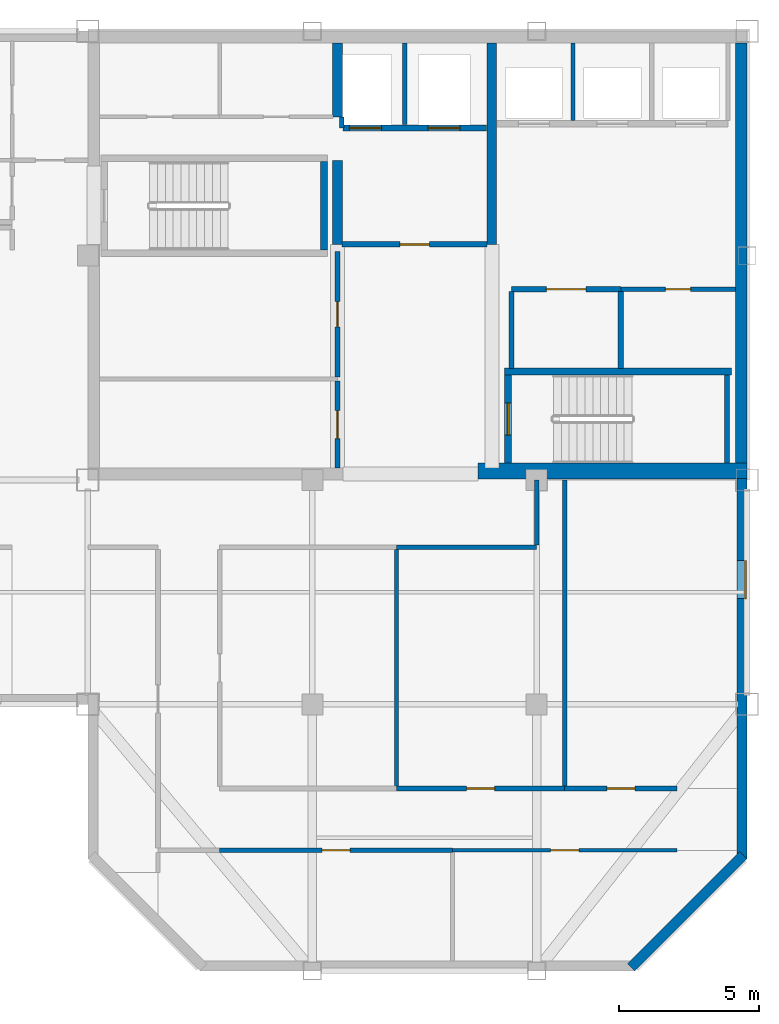
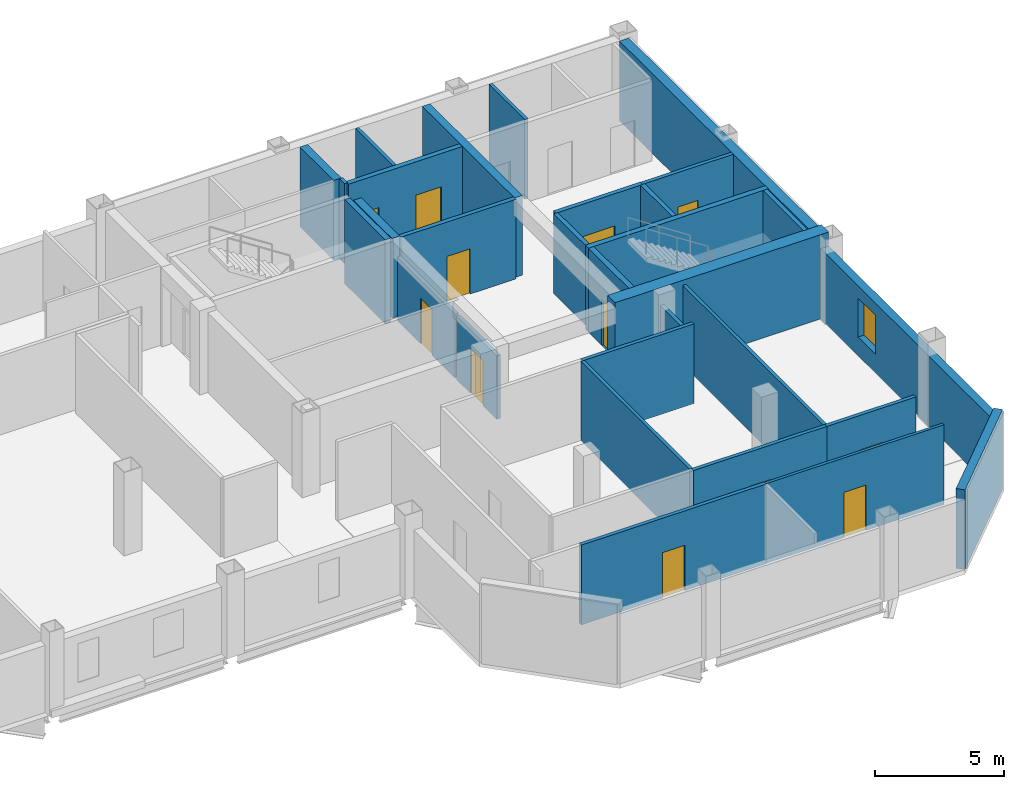
# One storey, part 3 of 7: 30 walls, 12 doors, 1 window, 13 openings.
"""IFC4 building model written with IfcOpenShell, lengths in metres."""

from ifc_helpers import new_model, si_unit, direction, frame, frame_2d, origin, place, context, subcontext, project, spatial, rectangle, extrude, material, layer, layer_set, type_object, element, fill, save


model = new_model("IFC4")

# Units and contexts
model_context = context("Model", 3, precision=1e-05, world=origin(), true_north=direction((0.0, 1.0)))
body_context = subcontext(model_context, "Body", "Model", "MODEL_VIEW")
ifc_project = project(units=[si_unit("LENGTHUNIT", "METRE"), si_unit("AREAUNIT", "SQUARE_METRE"), si_unit("VOLUMEUNIT", "CUBIC_METRE"), si_unit("PLANEANGLEUNIT", "RADIAN"), si_unit("MASSUNIT", "GRAM", prefix="KILO")], contexts=[model_context])

# Site, building, storey
site_placement = place(None, origin())
site = spatial("IfcSite", under=ifc_project, at=site_placement, CompositionType="ELEMENT")
building_placement = place(site_placement, origin())
building = spatial("IfcBuilding", under=site, at=building_placement, Name="Qianrong Seaharbour Tower", CompositionType="ELEMENT")
storey_placement = place(building_placement, frame((0.0, 0.0, 331.199951171875)))
storey = spatial("IfcBuildingStorey", under=building, at=storey_placement, Name="L80", CompositionType="ELEMENT", Elevation=331.199951171875)

# Walls
ifc_material_1 = material(Name="Concrete C50/60", Category="concrete")
ifc_layer_1 = layer(ifc_material_1, 0.419921875)
ifc_layer_set_1 = layer_set([ifc_layer_1], Name="Concrete C50/60")
wall_type_1 = type_object("IfcWallType", Name="WALL-CORE-420", PredefinedType="SHEAR", material=ifc_layer_set_1)
wall_1_placement = place(storey_placement, frame((63.7900390625, 36.320068359375, 0.0), z_axis=(0.0, 0.0, 1.0), x_axis=(0.0, 1.0, 0.0)))
element("IfcWall", 1, at=wall_1_placement, inside=storey, type_object=wall_type_1, Name="L80 East Core Shear Wall", PredefinedType="SHEAR", context=body_context, shape_type="SweptSolid", body=[
    extrude(rectangle(XDim=15.260009765625, YDim=0.419921875, at=frame_2d((7.6298828125, 0.0))), origin(), (0.0, 0.0, 1.0), 3.78515625),
])
ifc_material_2 = material(Name="Concrete C70/85", Category="concrete")
ifc_layer_2 = layer(ifc_material_2, 0.580078125)
ifc_layer_set_2 = layer_set([ifc_layer_2], Name="Concrete C70/85")
wall_type_2 = type_object("IfcWallType", Name="WALL-CORE-580", PredefinedType="SHEAR", material=ifc_layer_set_2)
wall_2_placement = place(storey_placement, frame((54.39990234375, 36.320068359375, 0.0), z_axis=(0.0, 0.0, 1.0), x_axis=(1.0, 0.0, 0.0)))
element("IfcWall", 2, at=wall_2_placement, inside=storey, type_object=wall_type_2, Name="L80 South Core Shear Wall S3", PredefinedType="SHEAR", context=body_context, shape_type="SweptSolid", body=[
    extrude(rectangle(XDim=9.60009765625, YDim=0.580078125, at=frame_2d((4.800048828125, 0.0))), origin(), (0.0, 0.0, 1.0), 4.0),
])
ifc_layer_3 = layer(ifc_material_1, 0.35009765625)
ifc_layer_set_3 = layer_set([ifc_layer_3], Name="Concrete C50/60")
wall_type_3 = type_object("IfcWallType", Name="WALL-CORE-INT-350", PredefinedType="SHEAR", material=ifc_layer_set_3)
wall_3_placement = place(storey_placement, frame((49.39990234375, 44.39990234375, 0.0), z_axis=(0.0, 0.0, 1.0), x_axis=(0.0, 1.0, 0.0)))
element("IfcWall", 3, at=wall_3_placement, inside=storey, type_object=wall_type_3, Name="L80 Internal Core Shear Wall IW1N1", PredefinedType="SHEAR", context=body_context, shape_type="SweptSolid", body=[
    extrude(rectangle(XDim=3.0, YDim=0.35009765625, at=frame_2d((1.5, 0.0))), origin(), (0.0, 0.0, 1.0), 3.78515625),
])
wall_4_placement = place(storey_placement, frame((49.39990234375, 48.949951171875, 0.0), z_axis=(0.0, 0.0, 1.0), x_axis=(0.0, 1.0, 0.0)))
element("IfcWall", 4, at=wall_4_placement, inside=storey, type_object=wall_type_3, Name="L80 Internal Core Shear Wall IW1N2", PredefinedType="SHEAR", context=body_context, shape_type="SweptSolid", body=[
    extrude(rectangle(XDim=2.630126953125, YDim=0.35009765625, at=frame_2d((1.31494140625, 0.0))), origin(), (0.0, 0.0, 1.0), 3.78515625),
])
wall_5_placement = place(storey_placement, frame((54.89990234375, 44.39990234375, 0.0), z_axis=(0.0, 0.0, 1.0), x_axis=(0.0, 1.0, 0.0)))
element("IfcWall", 5, at=wall_5_placement, inside=storey, type_object=wall_type_3, Name="L80 Internal Core Shear Wall IW2N", PredefinedType="SHEAR", context=body_context, shape_type="SweptSolid", body=[
    extrude(rectangle(XDim=7.18017578125, YDim=0.35009765625, at=frame_2d((3.590087890625, 0.0))), origin(), (0.0, 0.0, 1.0), 3.78515625),
])

# Wall, opening, door
ifc_material_3 = material(Name="Fire-rated acoustic gypsum board partition")
ifc_layer_4 = layer(ifc_material_3, 0.1650390625)
ifc_layer_set_4 = layer_set([ifc_layer_4], Name="Fire-rated acoustic gypsum board partition")
wall_type_4 = type_object("IfcWallType", Name="WALL-CORR-PART-165", PredefinedType="PARTITIONING", material=ifc_layer_set_4)
wall_6_placement = place(storey_placement, frame((49.39990234375, 36.419921875, 0.0), z_axis=(0.0, 0.0, 1.0), x_axis=(0.0, 1.0, 0.0)))
wall_6 = element("IfcWall", 6, at=wall_6_placement, inside=storey, type_object=wall_type_4, Name="L80 Interior Partition Wall 009", PredefinedType="PARTITIONING", context=body_context, shape_type="SweptSolid", body=[
    extrude(rectangle(XDim=3.115478515625, YDim=0.1650390625, at=frame_2d((1.5576171875, 0.0))), origin(), (0.0, 0.0, 1.0), 3.027099609375),
])
opening_1_placement = place(wall_6_placement, frame((1.0576171875, 0.0, 0.0)))
opening_1 = element("IfcOpeningElement", 7, at=opening_1_placement, cuts=wall_6, Name="Opening DO-01", PredefinedType="OPENING", context=body_context, shape_type="SweptSolid", body=[
    extrude(rectangle(XDim=1.0, YDim=2.14990234375, at=frame_2d((0.5, 1.074951171875))), frame((0.0, 0.092529296875, 0.0), z_axis=(0.0, -1.0, 0.0), x_axis=(1.0, 0.0, 0.0)), (0.0, 0.0, 1.0), 0.18505859375),
])
ifc_material_4 = material(Name="Acoustic timber and galvanized steel fire door assembly", Category="steel")
door_type_1 = type_object("IfcDoorType", Name="DOOR-OFFICE-1000x2150", OperationType="NOTDEFINED", PredefinedType="DOOR", material=ifc_material_4)
door_1_placement = place(opening_1_placement, origin())
door_1 = element("IfcDoor", 8, at=door_1_placement, inside=storey, type_object=door_type_1, Name="L80 Wellness Room Door", OperationType="SINGLE_SWING_LEFT", OverallHeight=2.14990234375, OverallWidth=1.0, PredefinedType="DOOR", context=body_context, shape_type="SweptSolid", body=[
    extrude(rectangle(XDim=1.0, YDim=2.14990234375, at=frame_2d((0.5, 1.074951171875))), frame((0.0, 0.02490234375, 0.0), z_axis=(0.0, -1.0, 0.0), x_axis=(1.0, 0.0, 0.0)), (0.0, 0.0, 1.0), 0.050048828125),
])
fill(opening_1, door_1)

wall_7_placement = place(storey_placement, frame((49.39990234375, 39.66455078125, 0.0), z_axis=(0.0, 0.0, 1.0), x_axis=(0.0, 1.0, 0.0)))
wall_7 = element("IfcWall", 9, at=wall_7_placement, inside=storey, type_object=wall_type_4, Name="L80 Interior Partition Wall 010", PredefinedType="PARTITIONING", context=body_context, shape_type="SweptSolid", body=[
    extrude(rectangle(XDim=4.4853515625, YDim=0.1650390625, at=frame_2d((2.24267578125, 0.0))), origin(), (0.0, 0.0, 1.0), 3.027099609375),
])
opening_2_placement = place(wall_7_placement, frame((1.792724609375, 0.0, 0.0)))
opening_2 = element("IfcOpeningElement", 10, at=opening_2_placement, cuts=wall_7, Name="Opening DS-01", PredefinedType="OPENING", context=body_context, shape_type="SweptSolid", body=[
    extrude(rectangle(XDim=0.89990234375, YDim=2.14990234375, at=frame_2d((0.449951171875, 1.074951171875))), frame((0.0, 0.092529296875, 0.0), z_axis=(0.0, -1.0, 0.0), x_axis=(1.0, 0.0, 0.0)), (0.0, 0.0, 1.0), 0.18505859375),
])
door_type_2 = type_object("IfcDoorType", Name="DOOR-STORE-900x2150", OperationType="NOTDEFINED", PredefinedType="DOOR", material=ifc_material_4)
door_2_placement = place(opening_2_placement, origin())
door_2 = element("IfcDoor", 11, at=door_2_placement, inside=storey, type_object=door_type_2, Name="L80 Equipment Store Room Door", OperationType="SINGLE_SWING_RIGHT", OverallHeight=2.14990234375, OverallWidth=0.89990234375, PredefinedType="DOOR", context=body_context, shape_type="SweptSolid", body=[
    extrude(rectangle(XDim=0.89990234375, YDim=2.14990234375, at=frame_2d((0.449951171875, 1.074951171875))), frame((0.0, 0.02490234375, 0.0), z_axis=(0.0, -1.0, 0.0), x_axis=(1.0, 0.0, 0.0)), (0.0, 0.0, 1.0), 0.050048828125),
])
fill(opening_2, door_2)

wall_8_placement = place(storey_placement, frame((63.580078125, 42.800048828125, 0.0), z_axis=(0.0, 0.0, 1.0), x_axis=(-1.0, 0.0, 0.0)))
wall_8 = element("IfcWall", 12, at=wall_8_placement, inside=storey, type_object=wall_type_4, Name="L80 Interior Partition Wall 014", PredefinedType="PARTITIONING", context=body_context, shape_type="SweptSolid", body=[
    extrude(rectangle(XDim=4.080078125, YDim=0.1650390625, at=frame_2d((2.0400390625, 0.0))), origin(), (0.0, 0.0, 1.0), 3.78515625),
])
opening_3_placement = place(wall_8_placement, frame((1.590087890625, 0.0, 0.0)))
opening_3 = element("IfcOpeningElement", 13, at=opening_3_placement, cuts=wall_8, Name="Opening DS-01", PredefinedType="OPENING", context=body_context, shape_type="SweptSolid", body=[
    extrude(rectangle(XDim=0.89990234375, YDim=2.14990234375, at=frame_2d((0.449951171875, 1.074951171875))), frame((0.0, 0.092529296875, 0.0), z_axis=(0.0, -1.0, 0.0), x_axis=(1.0, 0.0, 0.0)), (0.0, 0.0, 1.0), 0.18505859375),
])
door_3_placement = place(opening_3_placement, origin())
door_3 = element("IfcDoor", 14, at=door_3_placement, inside=storey, type_object=door_type_2, Name="L80 Cleaner Store Room Door", OperationType="SINGLE_SWING_LEFT", OverallHeight=2.14990234375, OverallWidth=0.89990234375, PredefinedType="DOOR", context=body_context, shape_type="SweptSolid", body=[
    extrude(rectangle(XDim=0.89990234375, YDim=2.14990234375, at=frame_2d((0.449951171875, 1.074951171875))), frame((0.0, 0.02490234375, 0.0), z_axis=(0.0, -1.0, 0.0), x_axis=(1.0, 0.0, 0.0)), (0.0, 0.0, 1.0), 0.050048828125),
])
fill(opening_3, door_3)

# Walls
wall_9_placement = place(storey_placement, frame((56.5, 36.0, 0.0), z_axis=(0.0, 0.0, 1.0), x_axis=(0.0, -1.0, 0.0)))
element("IfcWall", 15, at=wall_9_placement, inside=storey, type_object=wall_type_4, Name="L80 Interior Partition Wall 026", PredefinedType="PARTITIONING", context=body_context, shape_type="SweptSolid", body=[
    extrude(rectangle(XDim=2.325439453125, YDim=0.1650390625, at=frame_2d((1.16259765625, 0.0))), origin(), (0.0, 0.0, 1.0), 3.177001953125),
])
wall_10_placement = place(storey_placement, frame((56.5, 33.60009765625, 0.0), z_axis=(0.0, 0.0, 1.0), x_axis=(-1.0, 0.0, 0.0)))
element("IfcWall", 16, at=wall_10_placement, inside=storey, type_object=wall_type_4, Name="L80 Interior Partition Wall 027", PredefinedType="PARTITIONING", context=body_context, shape_type="SweptSolid", body=[
    extrude(rectangle(XDim=5.0, YDim=0.1650390625, at=frame_2d((2.5, 0.0))), origin(), (0.0, 0.0, 1.0), 3.78515625),
])

# Wall, opening, door
wall_11_placement = place(storey_placement, frame((51.5, 25.0, 0.0), z_axis=(0.0, 0.0, 1.0), x_axis=(1.0, 0.0, 0.0)))
wall_11 = element("IfcWall", 17, at=wall_11_placement, inside=storey, type_object=wall_type_4, Name="L80 Interior Partition Wall 033", PredefinedType="PARTITIONING", context=body_context, shape_type="SweptSolid", body=[
    extrude(rectangle(XDim=6.0, YDim=0.1650390625, at=frame_2d((3.0, 0.0))), origin(), (0.0, 0.0, 1.0), 3.78515625),
])
opening_4_placement = place(wall_11_placement, frame((2.5, 0.0, 0.0)))
opening_4 = element("IfcOpeningElement", 18, at=opening_4_placement, cuts=wall_11, Name="Opening DO-01", PredefinedType="OPENING", context=body_context, shape_type="SweptSolid", body=[
    extrude(rectangle(XDim=1.0, YDim=2.14990234375, at=frame_2d((0.5, 1.074951171875))), frame((0.0, 0.092529296875, 0.0), z_axis=(0.0, -1.0, 0.0), x_axis=(1.0, 0.0, 0.0)), (0.0, 0.0, 1.0), 0.18505859375),
])
door_4_placement = place(opening_4_placement, origin())
door_4 = element("IfcDoor", 19, at=door_4_placement, inside=storey, type_object=door_type_1, Name="L80 Catering Servery Kitchen 2 Door", OperationType="SINGLE_SWING_RIGHT", OverallHeight=2.14990234375, OverallWidth=1.0, PredefinedType="DOOR", context=body_context, shape_type="SweptSolid", body=[
    extrude(rectangle(XDim=1.0, YDim=2.14990234375, at=frame_2d((0.5, 1.074951171875))), frame((0.0, 0.02490234375, 0.0), z_axis=(0.0, -1.0, 0.0), x_axis=(1.0, 0.0, 0.0)), (0.0, 0.0, 1.0), 0.050048828125),
])
fill(opening_4, door_4)

wall_12_placement = place(storey_placement, frame((57.5, 25.0, 0.0), z_axis=(0.0, 0.0, 1.0), x_axis=(1.0, 0.0, 0.0)))
wall_12 = element("IfcWall", 20, at=wall_12_placement, inside=storey, type_object=wall_type_4, Name="L80 Interior Partition Wall 034", PredefinedType="PARTITIONING", context=body_context, shape_type="SweptSolid", body=[
    extrude(rectangle(XDim=4.0, YDim=0.1650390625, at=frame_2d((2.0, 0.0))), origin(), (0.0, 0.0, 1.0), 3.78515625),
])
opening_5_placement = place(wall_12_placement, frame((1.5, 0.0, 0.0)))
opening_5 = element("IfcOpeningElement", 21, at=opening_5_placement, cuts=wall_12, Name="Opening DO-01", PredefinedType="OPENING", context=body_context, shape_type="SweptSolid", body=[
    extrude(rectangle(XDim=1.0, YDim=2.14990234375, at=frame_2d((0.5, 1.074951171875))), frame((0.0, 0.092529296875, 0.0), z_axis=(0.0, -1.0, 0.0), x_axis=(1.0, 0.0, 0.0)), (0.0, 0.0, 1.0), 0.18505859375),
])
door_5_placement = place(opening_5_placement, origin())
door_5 = element("IfcDoor", 22, at=door_5_placement, inside=storey, type_object=door_type_1, Name="L80 Staff Lounge 3 Door", OperationType="SINGLE_SWING_LEFT", OverallHeight=2.14990234375, OverallWidth=1.0, PredefinedType="DOOR", context=body_context, shape_type="SweptSolid", body=[
    extrude(rectangle(XDim=1.0, YDim=2.14990234375, at=frame_2d((0.5, 1.074951171875))), frame((0.0, 0.02490234375, 0.0), z_axis=(0.0, -1.0, 0.0), x_axis=(1.0, 0.0, 0.0)), (0.0, 0.0, 1.0), 0.050048828125),
])
fill(opening_5, door_5)

wall_13_placement = place(storey_placement, frame((53.5, 22.800048828125, 0.0), z_axis=(0.0, 0.0, 1.0), x_axis=(-1.0, 0.0, 0.0)))
wall_13 = element("IfcWall", 23, at=wall_13_placement, inside=storey, type_object=wall_type_4, Name="L80 Interior Partition Wall 035", PredefinedType="PARTITIONING", context=body_context, shape_type="SweptSolid", body=[
    extrude(rectangle(XDim=8.300048828125, YDim=0.1650390625, at=frame_2d((4.14990234375, 0.0))), origin(), (0.0, 0.0, 1.0), 3.78515625),
])
opening_6_placement = place(wall_13_placement, frame((3.64990234375, 0.0, 0.0)))
opening_6 = element("IfcOpeningElement", 24, at=opening_6_placement, cuts=wall_13, Name="Opening DO-01", PredefinedType="OPENING", context=body_context, shape_type="SweptSolid", body=[
    extrude(rectangle(XDim=1.0, YDim=2.14990234375, at=frame_2d((0.5, 1.074951171875))), frame((0.0, 0.092529296875, 0.0), z_axis=(0.0, -1.0, 0.0), x_axis=(1.0, 0.0, 0.0)), (0.0, 0.0, 1.0), 0.18505859375),
])
door_6_placement = place(opening_6_placement, origin())
door_6 = element("IfcDoor", 25, at=door_6_placement, inside=storey, type_object=door_type_1, Name="L80 South View Lounge 1 Door", OperationType="SINGLE_SWING_LEFT", OverallHeight=2.14990234375, OverallWidth=1.0, PredefinedType="DOOR", context=body_context, shape_type="SweptSolid", body=[
    extrude(rectangle(XDim=1.0, YDim=2.14990234375, at=frame_2d((0.5, 1.074951171875))), frame((0.0, 0.02490234375, 0.0), z_axis=(0.0, -1.0, 0.0), x_axis=(1.0, 0.0, 0.0)), (0.0, 0.0, 1.0), 0.050048828125),
])
fill(opening_6, door_6)

# Wall, opening, window
ifc_material_5 = material(Name="Unitised red brick on Precast concrete C45/55", Category="masonry")
ifc_layer_5 = layer(ifc_material_5, 0.360107421875)
ifc_layer_set_5 = layer_set([ifc_layer_5], Name="Unitised red brick on Precast concrete C45/55")
wall_type_5 = type_object("IfcWallType", Name="WALL-EXT-BRICK-RED-360", PredefinedType="SOLIDWALL", material=ifc_layer_set_5)
wall_14_placement = place(storey_placement, frame((63.820068359375, 36.050048828125, 0.0), z_axis=(0.0, 0.0, 1.0), x_axis=(0.0, -1.0, 0.0)))
wall_14 = element("IfcWall", 26, at=wall_14_placement, inside=storey, type_object=wall_type_5, Name="L80 Exterior Masonry Facade Wall EAST_WING", PredefinedType="SOLIDWALL", context=body_context, shape_type="SweptSolid", body=[
    extrude(rectangle(XDim=13.550048828125, YDim=0.360107421875, at=frame_2d((6.77490234375, 0.0))), origin(), (0.0, 0.0, 1.0), 3.3349609375),
])
opening_7_placement = place(wall_14_placement, frame((2.925048828125, 0.0, 0.89990234375)))
opening_7 = element("IfcOpeningElement", 27, at=opening_7_placement, cuts=wall_14, Name="Opening WN-02", PredefinedType="OPENING", context=body_context, shape_type="SweptSolid", body=[
    extrude(rectangle(XDim=1.35009765625, YDim=1.85009765625, at=frame_2d((0.675048828125, 0.925048828125))), frame((0.0, 0.18994140625, 0.0), z_axis=(0.0, -1.0, 0.0), x_axis=(1.0, 0.0, 0.0)), (0.0, 0.0, 1.0), 0.380126953125),
])
ifc_material_6 = material(Name="Insulated low-e double glazing in thermally broken aluminium 6063-T6 frame", Category="aluminium")
window_type = type_object("IfcWindowType", Name="WIN-PUNCH-1350x1850", PartitioningType="DOUBLE_PANEL_VERTICAL", PredefinedType="WINDOW", material=ifc_material_6)
window_placement = place(opening_7_placement, origin())
window = element("IfcWindow", 28, at=window_placement, inside=storey, type_object=window_type, Name="L80 Deep-Set Punched Window 06.01", OverallHeight=1.85009765625, OverallWidth=1.35009765625, PartitioningType="DOUBLE_PANEL_VERTICAL", PredefinedType="WINDOW", context=body_context, shape_type="SweptSolid", body=[
    extrude(rectangle(XDim=1.35009765625, YDim=1.85009765625, at=frame_2d((0.675048828125, 0.925048828125))), frame((0.0, 0.150146484375, 0.0), z_axis=(0.0, -1.0, 0.0), x_axis=(1.0, 0.0, 0.0)), (0.0, 0.0, 1.0), 0.06005859375),
])
fill(opening_7, window)

# Wall
wall_15_placement = place(storey_placement, frame((63.872802734375, 22.627197265625, 0.0), z_axis=(0.0, 0.0, 1.0), x_axis=(-0.707106781187, -0.707106781187, 0.0)))
element("IfcWall", 29, at=wall_15_placement, inside=storey, type_object=wall_type_5, Name="L80 Exterior Masonry Facade Wall E07", PredefinedType="SOLIDWALL", context=body_context, shape_type="SweptSolid", body=[
    extrude(rectangle(XDim=5.65673828125, YDim=0.360107421875, at=frame_2d((2.828369140625, 0.0))), origin(), (0.0, 0.0, 1.0), 3.78515625),
])

# Wall, opening, door
ifc_material_7 = material(Name="Double fire-rated gypsum board acoustic partition")
ifc_layer_6 = layer(ifc_material_7, 0.18994140625)
ifc_layer_set_6 = layer_set([ifc_layer_6], Name="Double fire-rated gypsum board acoustic partition")
wall_type_6 = type_object("IfcWallType", Name="WALL-FIRE-PART-190", PredefinedType="PARTITIONING", material=ifc_layer_set_6)
wall_16_placement = place(storey_placement, frame((54.73291015625, 44.39990234375, 0.0), z_axis=(0.0, 0.0, 1.0), x_axis=(-1.0, 0.0, 0.0)))
wall_16 = element("IfcWall", 30, at=wall_16_placement, inside=storey, type_object=wall_type_6, Name="L80 Interior Partition Wall 008", PredefinedType="PARTITIONING", context=body_context, shape_type="SweptSolid", body=[
    extrude(rectangle(XDim=5.166015625, YDim=0.18994140625, at=frame_2d((2.5830078125, 0.0))), origin(), (0.0, 0.0, 1.0), 3.78515625),
])
opening_8_placement = place(wall_16_placement, frame((2.05810546875, 0.0, 0.0)))
opening_8 = element("IfcOpeningElement", 31, at=opening_8_placement, cuts=wall_16, Name="Opening DC-01", PredefinedType="OPENING", context=body_context, shape_type="SweptSolid", body=[
    extrude(rectangle(XDim=1.050048828125, YDim=2.14990234375, at=frame_2d((0.52490234375, 1.074951171875))), frame((0.0, 0.10498046875, 0.0), z_axis=(0.0, -1.0, 0.0), x_axis=(1.0, 0.0, 0.0)), (0.0, 0.0, 1.0), 0.2099609375),
])
door_type_3 = type_object("IfcDoorType", Name="DOOR-CORR-FD60-1050x2150", OperationType="NOTDEFINED", PredefinedType="DOOR", material=ifc_material_4)
door_7_placement = place(opening_8_placement, origin())
door_7 = element("IfcDoor", 32, at=door_7_placement, inside=storey, type_object=door_type_3, Name="L80 Firefighting Lift Lobby Door", OperationType="SINGLE_SWING_RIGHT", OverallHeight=2.14990234375, OverallWidth=1.050048828125, PredefinedType="DOOR", context=body_context, shape_type="SweptSolid", body=[
    extrude(rectangle(XDim=1.050048828125, YDim=2.14990234375, at=frame_2d((0.52490234375, 1.074951171875))), frame((0.0, 0.02490234375, 0.0), z_axis=(0.0, -1.0, 0.0), x_axis=(1.0, 0.0, 0.0)), (0.0, 0.0, 1.0), 0.050048828125),
])
fill(opening_8, door_7)

# Wall
wall_17_placement = place(storey_placement, frame((55.60009765625, 42.712890625, 0.0), z_axis=(0.0, 0.0, 1.0), x_axis=(0.0, -1.0, 0.0)))
element("IfcWall", 33, at=wall_17_placement, inside=storey, type_object=wall_type_6, Name="L80 Interior Partition Wall 011", PredefinedType="PARTITIONING", context=body_context, shape_type="SweptSolid", body=[
    extrude(rectangle(XDim=2.73095703125, YDim=0.18994140625, at=frame_2d((1.365478515625, 0.0))), origin(), (0.0, 0.0, 1.0), 3.78515625),
])

# Wall, opening, door
wall_18_placement = place(storey_placement, frame((59.5, 42.800048828125, 0.0), z_axis=(0.0, 0.0, 1.0), x_axis=(-1.0, 0.0, 0.0)))
wall_18 = element("IfcWall", 34, at=wall_18_placement, inside=storey, type_object=wall_type_6, Name="L80 Interior Partition Wall 013", PredefinedType="PARTITIONING", context=body_context, shape_type="SweptSolid", body=[
    extrude(rectangle(XDim=3.89990234375, YDim=0.18994140625, at=frame_2d((1.949951171875, 0.0))), origin(), (0.0, 0.0, 1.0), 3.78515625),
])
opening_9_placement = place(wall_18_placement, frame((1.25, 0.0, 0.0)))
opening_9 = element("IfcOpeningElement", 35, at=opening_9_placement, cuts=wall_18, Name="Opening DP-01", PredefinedType="OPENING", context=body_context, shape_type="SweptSolid", body=[
    extrude(rectangle(XDim=1.39990234375, YDim=2.25, at=frame_2d((0.699951171875, 1.125))), frame((0.0, 0.10498046875, 0.0), z_axis=(0.0, -1.0, 0.0), x_axis=(1.0, 0.0, 0.0)), (0.0, 0.0, 1.0), 0.2099609375),
])
door_type_4 = type_object("IfcDoorType", Name="DOOR-PLANT-PAIR-1400x2250", OperationType="DOUBLE_DOOR_SINGLE_SWING", PredefinedType="DOOR", material=ifc_material_4)
door_8_placement = place(opening_9_placement, origin())
door_8 = element("IfcDoor", 36, at=door_8_placement, inside=storey, type_object=door_type_4, Name="L80 Electrical Substation Door", OperationType="DOUBLE_DOOR_SINGLE_SWING", OverallHeight=2.25, OverallWidth=1.39990234375, PredefinedType="DOOR", context=body_context, shape_type="SweptSolid", body=[
    extrude(rectangle(XDim=1.39990234375, YDim=2.25, at=frame_2d((0.699951171875, 1.125))), frame((0.0, 0.02490234375, 0.0), z_axis=(0.0, -1.0, 0.0), x_axis=(1.0, 0.0, 0.0)), (0.0, 0.0, 1.0), 0.050048828125),
])
fill(opening_9, door_8)

# Walls
wall_19_placement = place(storey_placement, frame((59.5, 42.712890625, 0.0), z_axis=(0.0, 0.0, 1.0), x_axis=(0.0, -1.0, 0.0)))
element("IfcWall", 37, at=wall_19_placement, inside=storey, type_object=wall_type_6, Name="L80 Interior Partition Wall 016", PredefinedType="PARTITIONING", context=body_context, shape_type="SweptSolid", body=[
    extrude(rectangle(XDim=2.73095703125, YDim=0.18994140625, at=frame_2d((1.365478515625, 0.0))), origin(), (0.0, 0.0, 1.0), 3.78515625),
])
ifc_material_8 = material(Name="Acoustic gypsum board stud partition")
ifc_layer_7 = layer(ifc_material_8, 0.14501953125)
ifc_layer_set_7 = layer_set([ifc_layer_7], Name="Acoustic gypsum board stud partition")
wall_type_7 = type_object("IfcWallType", Name="WALL-OFFICE-PART-145", PredefinedType="PARTITIONING", material=ifc_layer_set_7)
wall_20_placement = place(storey_placement, frame((51.5, 33.525390625, 0.0), z_axis=(0.0, 0.0, 1.0), x_axis=(0.0, -1.0, 0.0)))
element("IfcWall", 38, at=wall_20_placement, inside=storey, type_object=wall_type_7, Name="L80 Interior Partition Wall 043", PredefinedType="PARTITIONING", context=body_context, shape_type="SweptSolid", body=[
    extrude(rectangle(XDim=8.450927734375, YDim=0.14501953125, at=frame_2d((4.2255859375, 0.0))), origin(), (0.0, 0.0, 1.0), 3.78515625),
])
wall_21_placement = place(storey_placement, frame((57.5, 36.0, 0.0), z_axis=(0.0, 0.0, 1.0), x_axis=(0.0, -1.0, 0.0)))
element("IfcWall", 39, at=wall_21_placement, inside=storey, type_object=wall_type_7, Name="L80 Interior Partition Wall 044", PredefinedType="PARTITIONING", context=body_context, shape_type="SweptSolid", body=[
    extrude(rectangle(XDim=10.925537109375, YDim=0.14501953125, at=frame_2d((5.462890625, 0.0))), origin(), (0.0, 0.0, 1.0), 3.78515625),
])
ifc_material_9 = material(Name="Fire-rated gypsum board on steel studs", Category="steel")
ifc_layer_8 = layer(ifc_material_9, 0.14990234375)
ifc_layer_set_8 = layer_set([ifc_layer_8], Name="Fire-rated gypsum board on steel studs")
wall_type_8 = type_object("IfcWallType", Name="WALL-SHAFT-DIV-150", PredefinedType="PARTITIONING", material=ifc_layer_set_8)
wall_22_placement = place(storey_placement, frame((51.800048828125, 48.669921875, 0.0), z_axis=(0.0, 0.0, 1.0), x_axis=(0.0, 1.0, 0.0)))
element("IfcWall", 40, at=wall_22_placement, inside=storey, type_object=wall_type_8, Name="L80 Firefighting Lift Shaft Divider Wall", PredefinedType="PARTITIONING", context=body_context, shape_type="SweptSolid", body=[
    extrude(rectangle(XDim=2.91015625, YDim=0.14990234375, at=frame_2d((1.455078125, 0.0))), origin(), (0.0, 0.0, 1.0), 3.78515625),
])
wall_23_placement = place(storey_placement, frame((49.550048828125, 48.550048828125, 0.0), z_axis=(0.0, 0.0, 1.0), x_axis=(0.0, 1.0, 0.0)))
element("IfcWall", 41, at=wall_23_placement, inside=storey, type_object=wall_type_8, Name="L80 Firefighting Lift Shaft West Return Wall", PredefinedType="PARTITIONING", context=body_context, shape_type="SweptSolid", body=[
    extrude(rectangle(XDim=0.39990234375, YDim=0.14990234375, at=frame_2d((0.199951171875, 0.0))), origin(), (0.0, 0.0, 1.0), 3.78515625),
])
wall_24_placement = place(storey_placement, frame((57.800048828125, 48.81005859375, 0.0), z_axis=(0.0, 0.0, 1.0), x_axis=(0.0, 1.0, 0.0)))
element("IfcWall", 42, at=wall_24_placement, inside=storey, type_object=wall_type_8, Name="L80 P4 Lift Hoistway Divider 2", PredefinedType="PARTITIONING", context=body_context, shape_type="SweptSolid", body=[
    extrude(rectangle(XDim=2.77001953125, YDim=0.14990234375, at=frame_2d((1.385009765625, 0.0))), origin(), (0.0, 0.0, 1.0), 3.78515625),
])

# Wall, openings, doors
ifc_layer_9 = layer(ifc_material_9, 0.219970703125)
ifc_layer_set_9 = layer_set([ifc_layer_9], Name="Fire-rated gypsum board on steel studs")
wall_type_9 = type_object("IfcWallType", Name="WALL-SHAFT-GYP220", PredefinedType="PARTITIONING", material=ifc_layer_set_9)
wall_25_placement = place(storey_placement, frame((54.7099609375, 48.550048828125, 0.0), z_axis=(0.0, 0.0, 1.0), x_axis=(-1.0, 0.0, 0.0)))
wall_25 = element("IfcWall", 43, at=wall_25_placement, inside=storey, type_object=wall_type_9, Name="L80 Firefighting Lift Shaft Front Wall", PredefinedType="PARTITIONING", context=body_context, shape_type="SweptSolid", body=[
    extrude(rectangle(XDim=5.119873046875, YDim=0.219970703125, at=frame_2d((2.56005859375, 0.0))), origin(), (0.0, 0.0, 1.0), 3.78515625),
])
opening_10_placement = place(wall_25_placement, frame((3.735107421875, 0.0, 0.0)))
opening_10 = element("IfcOpeningElement", 44, at=opening_10_placement, cuts=wall_25, Name="Opening LD-01", PredefinedType="OPENING", context=body_context, shape_type="SweptSolid", body=[
    extrude(rectangle(XDim=1.14990234375, YDim=2.199951171875, at=frame_2d((0.574951171875, 1.10009765625))), frame((0.0, 0.1201171875, 0.0), z_axis=(0.0, -1.0, 0.0), x_axis=(1.0, 0.0, 0.0)), (0.0, 0.0, 1.0), 0.239990234375),
])
opening_11_placement = place(wall_25_placement, frame((0.93505859375, 0.0, 0.0)))
opening_11 = element("IfcOpeningElement", 45, at=opening_11_placement, cuts=wall_25, Name="Opening LD-01", PredefinedType="OPENING", context=body_context, shape_type="SweptSolid", body=[
    extrude(rectangle(XDim=1.14990234375, YDim=2.199951171875, at=frame_2d((0.574951171875, 1.10009765625))), frame((0.0, 0.1201171875, 0.0), z_axis=(0.0, -1.0, 0.0), x_axis=(1.0, 0.0, 0.0)), (0.0, 0.0, 1.0), 0.239990234375),
])
ifc_material_10 = material(Name="Stainless steel SUS316L bi-parting lift landing door", Category="steel")
door_type_5 = type_object("IfcDoorType", Name="DOOR-LIFT-FF-1150x2200", OperationType="DOUBLE_DOOR_SLIDING", PredefinedType="DOOR", material=ifc_material_10)
door_9_placement = place(opening_10_placement, origin())
door_9 = element("IfcDoor", 46, at=door_9_placement, inside=storey, type_object=door_type_5, Name="L80 FL-1 Firefighting Lift Landing Door", OperationType="DOUBLE_DOOR_SLIDING", OverallHeight=2.199951171875, OverallWidth=1.14990234375, PredefinedType="DOOR", context=body_context, shape_type="SweptSolid", body=[
    extrude(rectangle(XDim=1.14990234375, YDim=2.199951171875, at=frame_2d((0.574951171875, 1.10009765625))), frame((0.0, 0.02490234375, 0.0), z_axis=(0.0, -1.0, 0.0), x_axis=(1.0, 0.0, 0.0)), (0.0, 0.0, 1.0), 0.050048828125),
])
fill(opening_10, door_9)
door_10_placement = place(opening_11_placement, origin())
door_10 = element("IfcDoor", 47, at=door_10_placement, inside=storey, type_object=door_type_5, Name="L80 FL-2 Firefighting Lift Landing Door", OperationType="DOUBLE_DOOR_SLIDING", OverallHeight=2.199951171875, OverallWidth=1.14990234375, PredefinedType="DOOR", context=body_context, shape_type="SweptSolid", body=[
    extrude(rectangle(XDim=1.14990234375, YDim=2.199951171875, at=frame_2d((0.574951171875, 1.10009765625))), frame((0.0, 0.02490234375, 0.0), z_axis=(0.0, -1.0, 0.0), x_axis=(1.0, 0.0, 0.0)), (0.0, 0.0, 1.0), 0.050048828125),
])
fill(opening_11, door_10)

# Walls
ifc_layer_10 = layer(ifc_material_1, 0.239990234375)
ifc_layer_set_10 = layer_set([ifc_layer_10], Name="Concrete C50/60")
wall_type_10 = type_object("IfcWallType", Name="WALL-SHAFT-RC240", PredefinedType="SOLIDWALL", material=ifc_layer_set_10)
wall_26_placement = place(storey_placement, frame((48.919921875, 44.199951171875, 0.0), z_axis=(0.0, 0.0, 1.0), x_axis=(0.0, 1.0, 0.0)))
element("IfcWall", 48, at=wall_26_placement, inside=storey, type_object=wall_type_10, Name="L80 ST-1 Structural Stair Core Wall E", PredefinedType="SOLIDWALL", context=body_context, shape_type="SweptSolid", body=[
    extrude(rectangle(XDim=3.150146484375, YDim=0.239990234375, at=frame_2d((1.5751953125, 0.0))), origin(), (0.0, 0.0, 1.0), 4.0),
])
wall_27_placement = place(storey_placement, frame((55.360107421875, 39.8701171875, 0.0), z_axis=(0.0, 0.0, 1.0), x_axis=(1.0, 0.0, 0.0)))
element("IfcWall", 49, at=wall_27_placement, inside=storey, type_object=wall_type_10, Name="L80 ST-2 Structural Stair Core Wall N", PredefinedType="SOLIDWALL", context=body_context, shape_type="SweptSolid", body=[
    extrude(rectangle(XDim=8.079833984375, YDim=0.239990234375, at=frame_2d((4.0400390625, 0.0))), origin(), (0.0, 0.0, 1.0), 4.0),
])

# Wall, opening, door
wall_28_placement = place(storey_placement, frame((55.47998046875, 39.75, 0.0), z_axis=(0.0, 0.0, 1.0), x_axis=(0.0, -1.0, 0.0)))
wall_28 = element("IfcWall", 50, at=wall_28_placement, inside=storey, type_object=wall_type_10, Name="L80 ST-2 Structural Stair Core Wall W", PredefinedType="SOLIDWALL", context=body_context, shape_type="SweptSolid", body=[
    extrude(rectangle(XDim=3.14990234375, YDim=0.239990234375, at=frame_2d((1.574951171875, 0.0))), origin(), (0.0, 0.0, 1.0), 4.0),
])
opening_12_placement = place(wall_28_placement, frame((1.0, 0.0, 0.0)))
opening_12 = element("IfcOpeningElement", 51, at=opening_12_placement, cuts=wall_28, Name="Opening SD-01", PredefinedType="OPENING", context=body_context, shape_type="SweptSolid", body=[
    extrude(rectangle(XDim=1.14990234375, YDim=2.199951171875, at=frame_2d((0.574951171875, 1.10009765625))), frame((0.0, 0.1298828125, 0.0), z_axis=(0.0, -1.0, 0.0), x_axis=(1.0, 0.0, 0.0)), (0.0, 0.0, 1.0), 0.260009765625),
])
door_type_6 = type_object("IfcDoorType", Name="DOOR-STAIR-FD60-1150x2200", OperationType="NOTDEFINED", PredefinedType="DOOR", material=ifc_material_4)
door_11_placement = place(opening_12_placement, origin())
door_11 = element("IfcDoor", 52, at=door_11_placement, inside=storey, type_object=door_type_6, Name="L80 ST-2 Protected Stair Door", OperationType="SINGLE_SWING_LEFT", OverallHeight=2.199951171875, OverallWidth=1.14990234375, PredefinedType="DOOR", context=body_context, shape_type="SweptSolid", body=[
    extrude(rectangle(XDim=1.14990234375, YDim=2.199951171875, at=frame_2d((0.574951171875, 1.10009765625))), frame((0.0, 0.02490234375, 0.0), z_axis=(0.0, -1.0, 0.0), x_axis=(1.0, 0.0, 0.0)), (0.0, 0.0, 1.0), 0.050048828125),
])
fill(opening_12, door_11)

# Wall
wall_29_placement = place(storey_placement, frame((63.2900390625, 36.60009765625, 0.0), z_axis=(0.0, 0.0, 1.0), x_axis=(0.0, 1.0, 0.0)))
element("IfcWall", 53, at=wall_29_placement, inside=storey, type_object=wall_type_10, Name="L80 ST-2 Structural Stair Core Wall E", PredefinedType="SOLIDWALL", context=body_context, shape_type="SweptSolid", body=[
    extrude(rectangle(XDim=3.14990234375, YDim=0.179931640625, at=frame_2d((1.574951171875, 0.0))), origin(), (0.0, 0.0, 1.0), 4.0),
])

# Wall, opening, door
ifc_material_11 = material(Name="Water-resistant cement board sanitary partition")
ifc_layer_11 = layer(ifc_material_11, 0.1298828125)
ifc_layer_set_11 = layer_set([ifc_layer_11], Name="Water-resistant cement board sanitary partition")
wall_type_11 = type_object("IfcWallType", Name="WALL-WET-PART-130", PredefinedType="PARTITIONING", material=ifc_layer_set_11)
wall_30_placement = place(storey_placement, frame((61.5, 22.800048828125, 0.0), z_axis=(0.0, 0.0, 1.0), x_axis=(-1.0, 0.0, 0.0)))
wall_30 = element("IfcWall", 54, at=wall_30_placement, inside=storey, type_object=wall_type_11, Name="L80 Interior Partition Wall 036", PredefinedType="PARTITIONING", context=body_context, shape_type="SweptSolid", body=[
    extrude(rectangle(XDim=8.0, YDim=0.1298828125, at=frame_2d((4.0, 0.0))), origin(), (0.0, 0.0, 1.0), 3.78515625),
])
opening_13_placement = place(wall_30_placement, frame((3.5, 0.0, 0.0)))
opening_13 = element("IfcOpeningElement", 55, at=opening_13_placement, cuts=wall_30, Name="Opening DO-01", PredefinedType="OPENING", context=body_context, shape_type="SweptSolid", body=[
    extrude(rectangle(XDim=1.0, YDim=2.14990234375, at=frame_2d((0.5, 1.074951171875))), frame((0.0, 0.074951171875, 0.0), z_axis=(0.0, -1.0, 0.0), x_axis=(1.0, 0.0, 0.0)), (0.0, 0.0, 1.0), 0.14990234375),
])
door_12_placement = place(opening_13_placement, origin())
door_12 = element("IfcDoor", 56, at=door_12_placement, inside=storey, type_object=door_type_1, Name="L80 Tea Servery Pantry 2 Door", OperationType="SINGLE_SWING_RIGHT", OverallHeight=2.14990234375, OverallWidth=1.0, PredefinedType="DOOR", context=body_context, shape_type="SweptSolid", body=[
    extrude(rectangle(XDim=1.0, YDim=2.14990234375, at=frame_2d((0.5, 1.074951171875))), frame((0.0, 0.02490234375, 0.0), z_axis=(0.0, -1.0, 0.0), x_axis=(1.0, 0.0, 0.0)), (0.0, 0.0, 1.0), 0.050048828125),
])
fill(opening_13, door_12)

save(model, "model.ifc")
